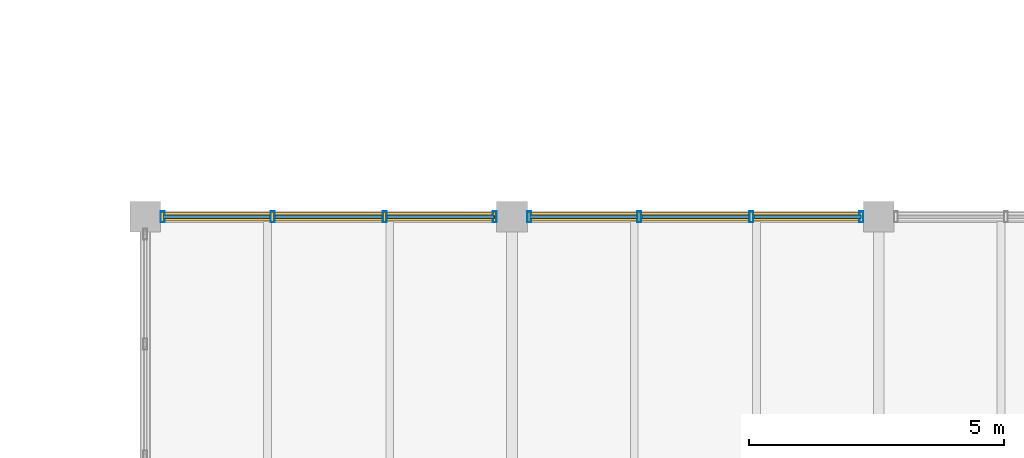
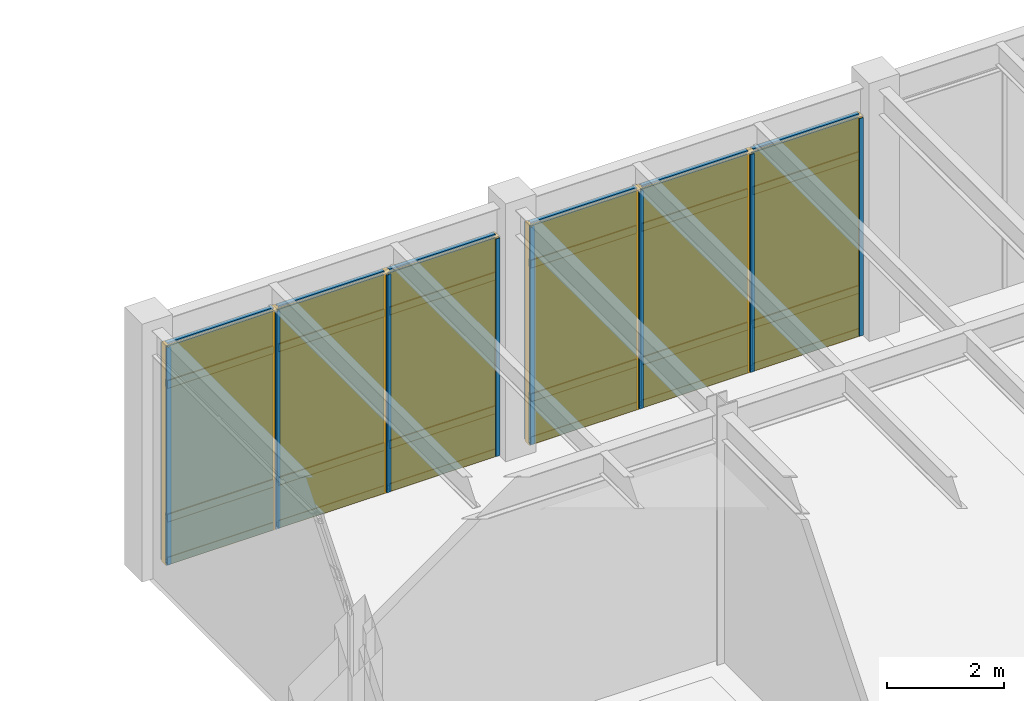
# One storey, part 58 of 97: 32 members, 12 plates, 2 curtain walls.
"""IFC4 building model written with IfcOpenShell, lengths in metres."""

from ifc_helpers import new_model, si_unit, direction, frame, origin, origin_2d, place, context, subcontext, project, spatial, rectangle, hollow_rectangle, extrude, material, layer, layer_set, material_profile, profile_set, type_object, element, aggregate, save


model = new_model("IFC4")

# Units and contexts
model_context = context("Model", 3, precision=1e-05, world=origin(), true_north=direction((0.0, 1.0)))
body_context = subcontext(model_context, "Body", "Model", "MODEL_VIEW")
ifc_project = project(units=[si_unit("LENGTHUNIT", "METRE"), si_unit("AREAUNIT", "SQUARE_METRE"), si_unit("VOLUMEUNIT", "CUBIC_METRE"), si_unit("PLANEANGLEUNIT", "RADIAN"), si_unit("MASSUNIT", "GRAM", prefix="KILO")], contexts=[model_context])

# Member
ifc_material_1 = material(Name="Anodized Aluminium 6063-T6", Category="aluminium")
ifc_material_profile_1 = material_profile(ifc_material_1, hollow_rectangle(XDim=0.074951171875, YDim=0.219970703125, WallThickness=0.0048828125, at=origin_2d()), Name="ALU 75x220x5")
ifc_profile_set_1 = profile_set([ifc_material_profile_1], Name="Anodized Aluminium 6063-T6")
member_type_1 = type_object("IfcMemberType", Name="CWM-75X180", PredefinedType="MULLION", material=ifc_profile_set_1)
site_placement = place(None, origin())
building_placement = place(site_placement, origin())
storey_placement = place(building_placement, origin())
member_1_placement = place(storey_placement, frame((65.139892578125, 57.60009765625, 0.02001953125), z_axis=(0.0, 0.0, 1.0), x_axis=(1.0, 0.0, 0.0)))
member_1 = element("IfcMember", 1, at=member_1_placement, type_object=member_type_1, Name="Curtain wall mullion CW-L01-09-07-N-00", PredefinedType="MULLION", context=body_context, shape_type="SweptSolid", body=[
    extrude(hollow_rectangle(XDim=0.074951171875, YDim=0.219970703125, WallThickness=0.0048828125, at=origin_2d()), origin(), (0.0, 0.0, 1.0), 4.557861328125),
])

member_2_placement = place(storey_placement, frame((67.300048828125, 57.60009765625, 0.02001953125), z_axis=(0.0, 0.0, 1.0), x_axis=(1.0, 0.0, 0.0)))
member_2 = element("IfcMember", 2, at=member_2_placement, type_object=member_type_1, Name="Curtain wall mullion CW-L01-09-07-N-01", PredefinedType="MULLION", context=body_context, shape_type="SweptSolid", body=[
    extrude(hollow_rectangle(XDim=0.074951171875, YDim=0.219970703125, WallThickness=0.0048828125, at=origin_2d()), origin(), (0.0, 0.0, 1.0), 4.557861328125),
])

member_3_placement = place(storey_placement, frame((69.5, 57.60009765625, 0.02001953125), z_axis=(0.0, 0.0, 1.0), x_axis=(1.0, 0.0, 0.0)))
member_3 = element("IfcMember", 3, at=member_3_placement, type_object=member_type_1, Name="Curtain wall mullion CW-L01-09-07-N-02", PredefinedType="MULLION", context=body_context, shape_type="SweptSolid", body=[
    extrude(hollow_rectangle(XDim=0.074951171875, YDim=0.219970703125, WallThickness=0.0048828125, at=origin_2d()), origin(), (0.0, 0.0, 1.0), 4.557861328125),
])

member_4_placement = place(storey_placement, frame((71.659912109375, 57.60009765625, 0.02001953125), z_axis=(0.0, 0.0, 1.0), x_axis=(1.0, 0.0, 0.0)))
member_4 = element("IfcMember", 4, at=member_4_placement, type_object=member_type_1, Name="Curtain wall mullion CW-L01-09-07-N-03", PredefinedType="MULLION", context=body_context, shape_type="SweptSolid", body=[
    extrude(hollow_rectangle(XDim=0.074951171875, YDim=0.219970703125, WallThickness=0.0048828125, at=origin_2d()), origin(), (0.0, 0.0, 1.0), 4.557861328125),
])

member_5_placement = place(storey_placement, frame((72.340087890625, 57.60009765625, 0.02001953125), z_axis=(0.0, 0.0, 1.0), x_axis=(1.0, 0.0, 0.0)))
member_5 = element("IfcMember", 5, at=member_5_placement, type_object=member_type_1, Name="Curtain wall mullion CW-L01-10-07-N-00", PredefinedType="MULLION", context=body_context, shape_type="SweptSolid", body=[
    extrude(hollow_rectangle(XDim=0.074951171875, YDim=0.219970703125, WallThickness=0.0048828125, at=origin_2d()), origin(), (0.0, 0.0, 1.0), 4.557861328125),
])

member_6_placement = place(storey_placement, frame((74.5, 57.60009765625, 0.02001953125), z_axis=(0.0, 0.0, 1.0), x_axis=(1.0, 0.0, 0.0)))
member_6 = element("IfcMember", 6, at=member_6_placement, type_object=member_type_1, Name="Curtain wall mullion CW-L01-10-07-N-01", PredefinedType="MULLION", context=body_context, shape_type="SweptSolid", body=[
    extrude(hollow_rectangle(XDim=0.074951171875, YDim=0.219970703125, WallThickness=0.0048828125, at=origin_2d()), origin(), (0.0, 0.0, 1.0), 4.557861328125),
])

member_7_placement = place(storey_placement, frame((76.699951171875, 57.60009765625, 0.02001953125), z_axis=(0.0, 0.0, 1.0), x_axis=(1.0, 0.0, 0.0)))
member_7 = element("IfcMember", 7, at=member_7_placement, type_object=member_type_1, Name="Curtain wall mullion CW-L01-10-07-N-02", PredefinedType="MULLION", context=body_context, shape_type="SweptSolid", body=[
    extrude(hollow_rectangle(XDim=0.074951171875, YDim=0.219970703125, WallThickness=0.0048828125, at=origin_2d()), origin(), (0.0, 0.0, 1.0), 4.557861328125),
])

member_8_placement = place(storey_placement, frame((78.860107421875, 57.60009765625, 0.02001953125), z_axis=(0.0, 0.0, 1.0), x_axis=(1.0, 0.0, 0.0)))
member_8 = element("IfcMember", 8, at=member_8_placement, type_object=member_type_1, Name="Curtain wall mullion CW-L01-10-07-N-03", PredefinedType="MULLION", context=body_context, shape_type="SweptSolid", body=[
    extrude(hollow_rectangle(XDim=0.074951171875, YDim=0.219970703125, WallThickness=0.0048828125, at=origin_2d()), origin(), (0.0, 0.0, 1.0), 4.557861328125),
])

ifc_material_profile_2 = material_profile(ifc_material_1, hollow_rectangle(XDim=0.074951171875, YDim=0.159912109375, WallThickness=0.00390625, at=origin_2d()), Name="ALU 75x160x4")
ifc_profile_set_2 = profile_set([ifc_material_profile_2], Name="Anodized Aluminium 6063-T6")
member_type_2 = type_object("IfcMemberType", Name="CWT-75X150", PredefinedType="USERDEFINED", material=ifc_profile_set_2)
member_9_placement = place(storey_placement, frame((65.14990234375, 57.60009765625, 0.050048828125), z_axis=(1.0, 0.0, 0.0), x_axis=(0.0, 1.0, 0.0)))
member_9 = element("IfcMember", 9, at=member_9_placement, type_object=member_type_2, Name="Curtain wall transom CW-L01-09-07-N-1.01", ObjectType="TRANSOM", PredefinedType="USERDEFINED", context=body_context, shape_type="SweptSolid", body=[
    extrude(hollow_rectangle(XDim=0.074951171875, YDim=0.159912109375, WallThickness=0.00390625, at=origin_2d()), origin(), (0.0, 0.0, 1.0), 2.10009765625),
])

member_10_placement = place(storey_placement, frame((67.35009765625, 57.60009765625, 0.050048828125), z_axis=(1.0, 0.0, 0.0), x_axis=(0.0, 1.0, 0.0)))
member_10 = element("IfcMember", 10, at=member_10_placement, type_object=member_type_2, Name="Curtain wall transom CW-L01-09-07-N-1.02", ObjectType="TRANSOM", PredefinedType="USERDEFINED", context=body_context, shape_type="SweptSolid", body=[
    extrude(hollow_rectangle(XDim=0.074951171875, YDim=0.159912109375, WallThickness=0.00390625, at=origin_2d()), origin(), (0.0, 0.0, 1.0), 2.099853515625),
])

member_11_placement = place(storey_placement, frame((69.550048828125, 57.60009765625, 0.050048828125), z_axis=(1.0, 0.0, 0.0), x_axis=(0.0, 1.0, 0.0)))
member_11 = element("IfcMember", 11, at=member_11_placement, type_object=member_type_2, Name="Curtain wall transom CW-L01-09-07-N-1.03", ObjectType="TRANSOM", PredefinedType="USERDEFINED", context=body_context, shape_type="SweptSolid", body=[
    extrude(hollow_rectangle(XDim=0.074951171875, YDim=0.159912109375, WallThickness=0.00390625, at=origin_2d()), origin(), (0.0, 0.0, 1.0), 2.099853515625),
])

member_12_placement = place(storey_placement, frame((65.14990234375, 57.60009765625, 0.949951171875), z_axis=(1.0, 0.0, 0.0), x_axis=(0.0, 1.0, 0.0)))
member_12 = element("IfcMember", 12, at=member_12_placement, type_object=member_type_2, Name="Curtain wall transom CW-L01-09-07-N-2.01", ObjectType="TRANSOM", PredefinedType="USERDEFINED", context=body_context, shape_type="SweptSolid", body=[
    extrude(hollow_rectangle(XDim=0.074951171875, YDim=0.159912109375, WallThickness=0.00390625, at=origin_2d()), origin(), (0.0, 0.0, 1.0), 2.10009765625),
])

member_13_placement = place(storey_placement, frame((67.35009765625, 57.60009765625, 0.949951171875), z_axis=(1.0, 0.0, 0.0), x_axis=(0.0, 1.0, 0.0)))
member_13 = element("IfcMember", 13, at=member_13_placement, type_object=member_type_2, Name="Curtain wall transom CW-L01-09-07-N-2.02", ObjectType="TRANSOM", PredefinedType="USERDEFINED", context=body_context, shape_type="SweptSolid", body=[
    extrude(hollow_rectangle(XDim=0.074951171875, YDim=0.159912109375, WallThickness=0.00390625, at=origin_2d()), origin(), (0.0, 0.0, 1.0), 2.099853515625),
])

member_14_placement = place(storey_placement, frame((69.550048828125, 57.60009765625, 0.949951171875), z_axis=(1.0, 0.0, 0.0), x_axis=(0.0, 1.0, 0.0)))
member_14 = element("IfcMember", 14, at=member_14_placement, type_object=member_type_2, Name="Curtain wall transom CW-L01-09-07-N-2.03", ObjectType="TRANSOM", PredefinedType="USERDEFINED", context=body_context, shape_type="SweptSolid", body=[
    extrude(hollow_rectangle(XDim=0.074951171875, YDim=0.159912109375, WallThickness=0.00390625, at=origin_2d()), origin(), (0.0, 0.0, 1.0), 2.099853515625),
])

member_15_placement = place(storey_placement, frame((65.14990234375, 57.60009765625, 3.748046875), z_axis=(1.0, 0.0, 0.0), x_axis=(0.0, 1.0, 0.0)))
member_15 = element("IfcMember", 15, at=member_15_placement, type_object=member_type_2, Name="Curtain wall transom CW-L01-09-07-N-3.01", ObjectType="TRANSOM", PredefinedType="USERDEFINED", context=body_context, shape_type="SweptSolid", body=[
    extrude(hollow_rectangle(XDim=0.074951171875, YDim=0.159912109375, WallThickness=0.00390625, at=origin_2d()), origin(), (0.0, 0.0, 1.0), 2.10009765625),
])

member_16_placement = place(storey_placement, frame((67.35009765625, 57.60009765625, 3.748046875), z_axis=(1.0, 0.0, 0.0), x_axis=(0.0, 1.0, 0.0)))
member_16 = element("IfcMember", 16, at=member_16_placement, type_object=member_type_2, Name="Curtain wall transom CW-L01-09-07-N-3.02", ObjectType="TRANSOM", PredefinedType="USERDEFINED", context=body_context, shape_type="SweptSolid", body=[
    extrude(hollow_rectangle(XDim=0.074951171875, YDim=0.159912109375, WallThickness=0.00390625, at=origin_2d()), origin(), (0.0, 0.0, 1.0), 2.099853515625),
])

member_17_placement = place(storey_placement, frame((69.550048828125, 57.60009765625, 3.748046875), z_axis=(1.0, 0.0, 0.0), x_axis=(0.0, 1.0, 0.0)))
member_17 = element("IfcMember", 17, at=member_17_placement, type_object=member_type_2, Name="Curtain wall transom CW-L01-09-07-N-3.03", ObjectType="TRANSOM", PredefinedType="USERDEFINED", context=body_context, shape_type="SweptSolid", body=[
    extrude(hollow_rectangle(XDim=0.074951171875, YDim=0.159912109375, WallThickness=0.00390625, at=origin_2d()), origin(), (0.0, 0.0, 1.0), 2.099853515625),
])

member_18_placement = place(storey_placement, frame((65.14990234375, 57.60009765625, 4.548095703125), z_axis=(1.0, 0.0, 0.0), x_axis=(0.0, 1.0, 0.0)))
member_18 = element("IfcMember", 18, at=member_18_placement, type_object=member_type_2, Name="Curtain wall transom CW-L01-09-07-N-4.01", ObjectType="TRANSOM", PredefinedType="USERDEFINED", context=body_context, shape_type="SweptSolid", body=[
    extrude(hollow_rectangle(XDim=0.074951171875, YDim=0.159912109375, WallThickness=0.00390625, at=origin_2d()), origin(), (0.0, 0.0, 1.0), 2.10009765625),
])

member_19_placement = place(storey_placement, frame((67.35009765625, 57.60009765625, 4.548095703125), z_axis=(1.0, 0.0, 0.0), x_axis=(0.0, 1.0, 0.0)))
member_19 = element("IfcMember", 19, at=member_19_placement, type_object=member_type_2, Name="Curtain wall transom CW-L01-09-07-N-4.02", ObjectType="TRANSOM", PredefinedType="USERDEFINED", context=body_context, shape_type="SweptSolid", body=[
    extrude(hollow_rectangle(XDim=0.074951171875, YDim=0.159912109375, WallThickness=0.00390625, at=origin_2d()), origin(), (0.0, 0.0, 1.0), 2.099853515625),
])

member_20_placement = place(storey_placement, frame((69.550048828125, 57.60009765625, 4.548095703125), z_axis=(1.0, 0.0, 0.0), x_axis=(0.0, 1.0, 0.0)))
member_20 = element("IfcMember", 20, at=member_20_placement, type_object=member_type_2, Name="Curtain wall transom CW-L01-09-07-N-4.03", ObjectType="TRANSOM", PredefinedType="USERDEFINED", context=body_context, shape_type="SweptSolid", body=[
    extrude(hollow_rectangle(XDim=0.074951171875, YDim=0.159912109375, WallThickness=0.00390625, at=origin_2d()), origin(), (0.0, 0.0, 1.0), 2.099853515625),
])

member_21_placement = place(storey_placement, frame((72.35009765625, 57.60009765625, 0.050048828125), z_axis=(1.0, 0.0, 0.0), x_axis=(0.0, 1.0, 0.0)))
member_21 = element("IfcMember", 21, at=member_21_placement, type_object=member_type_2, Name="Curtain wall transom CW-L01-10-07-N-1.01", ObjectType="TRANSOM", PredefinedType="USERDEFINED", context=body_context, shape_type="SweptSolid", body=[
    extrude(hollow_rectangle(XDim=0.074951171875, YDim=0.159912109375, WallThickness=0.00390625, at=origin_2d()), origin(), (0.0, 0.0, 1.0), 2.099853515625),
])

member_22_placement = place(storey_placement, frame((74.550048828125, 57.60009765625, 0.050048828125), z_axis=(1.0, 0.0, 0.0), x_axis=(0.0, 1.0, 0.0)))
member_22 = element("IfcMember", 22, at=member_22_placement, type_object=member_type_2, Name="Curtain wall transom CW-L01-10-07-N-1.02", ObjectType="TRANSOM", PredefinedType="USERDEFINED", context=body_context, shape_type="SweptSolid", body=[
    extrude(hollow_rectangle(XDim=0.074951171875, YDim=0.159912109375, WallThickness=0.00390625, at=origin_2d()), origin(), (0.0, 0.0, 1.0), 2.099853515625),
])

member_23_placement = place(storey_placement, frame((76.75, 57.60009765625, 0.050048828125), z_axis=(1.0, 0.0, 0.0), x_axis=(0.0, 1.0, 0.0)))
member_23 = element("IfcMember", 23, at=member_23_placement, type_object=member_type_2, Name="Curtain wall transom CW-L01-10-07-N-1.03", ObjectType="TRANSOM", PredefinedType="USERDEFINED", context=body_context, shape_type="SweptSolid", body=[
    extrude(hollow_rectangle(XDim=0.074951171875, YDim=0.159912109375, WallThickness=0.00390625, at=origin_2d()), origin(), (0.0, 0.0, 1.0), 2.10009765625),
])

member_24_placement = place(storey_placement, frame((72.35009765625, 57.60009765625, 0.949951171875), z_axis=(1.0, 0.0, 0.0), x_axis=(0.0, 1.0, 0.0)))
member_24 = element("IfcMember", 24, at=member_24_placement, type_object=member_type_2, Name="Curtain wall transom CW-L01-10-07-N-2.01", ObjectType="TRANSOM", PredefinedType="USERDEFINED", context=body_context, shape_type="SweptSolid", body=[
    extrude(hollow_rectangle(XDim=0.074951171875, YDim=0.159912109375, WallThickness=0.00390625, at=origin_2d()), origin(), (0.0, 0.0, 1.0), 2.099853515625),
])

member_25_placement = place(storey_placement, frame((74.550048828125, 57.60009765625, 0.949951171875), z_axis=(1.0, 0.0, 0.0), x_axis=(0.0, 1.0, 0.0)))
member_25 = element("IfcMember", 25, at=member_25_placement, type_object=member_type_2, Name="Curtain wall transom CW-L01-10-07-N-2.02", ObjectType="TRANSOM", PredefinedType="USERDEFINED", context=body_context, shape_type="SweptSolid", body=[
    extrude(hollow_rectangle(XDim=0.074951171875, YDim=0.159912109375, WallThickness=0.00390625, at=origin_2d()), origin(), (0.0, 0.0, 1.0), 2.099853515625),
])

member_26_placement = place(storey_placement, frame((76.75, 57.60009765625, 0.949951171875), z_axis=(1.0, 0.0, 0.0), x_axis=(0.0, 1.0, 0.0)))
member_26 = element("IfcMember", 26, at=member_26_placement, type_object=member_type_2, Name="Curtain wall transom CW-L01-10-07-N-2.03", ObjectType="TRANSOM", PredefinedType="USERDEFINED", context=body_context, shape_type="SweptSolid", body=[
    extrude(hollow_rectangle(XDim=0.074951171875, YDim=0.159912109375, WallThickness=0.00390625, at=origin_2d()), origin(), (0.0, 0.0, 1.0), 2.10009765625),
])

member_27_placement = place(storey_placement, frame((72.35009765625, 57.60009765625, 3.748046875), z_axis=(1.0, 0.0, 0.0), x_axis=(0.0, 1.0, 0.0)))
member_27 = element("IfcMember", 27, at=member_27_placement, type_object=member_type_2, Name="Curtain wall transom CW-L01-10-07-N-3.01", ObjectType="TRANSOM", PredefinedType="USERDEFINED", context=body_context, shape_type="SweptSolid", body=[
    extrude(hollow_rectangle(XDim=0.074951171875, YDim=0.159912109375, WallThickness=0.00390625, at=origin_2d()), origin(), (0.0, 0.0, 1.0), 2.099853515625),
])

member_28_placement = place(storey_placement, frame((74.550048828125, 57.60009765625, 3.748046875), z_axis=(1.0, 0.0, 0.0), x_axis=(0.0, 1.0, 0.0)))
member_28 = element("IfcMember", 28, at=member_28_placement, type_object=member_type_2, Name="Curtain wall transom CW-L01-10-07-N-3.02", ObjectType="TRANSOM", PredefinedType="USERDEFINED", context=body_context, shape_type="SweptSolid", body=[
    extrude(hollow_rectangle(XDim=0.074951171875, YDim=0.159912109375, WallThickness=0.00390625, at=origin_2d()), origin(), (0.0, 0.0, 1.0), 2.099853515625),
])

member_29_placement = place(storey_placement, frame((76.75, 57.60009765625, 3.748046875), z_axis=(1.0, 0.0, 0.0), x_axis=(0.0, 1.0, 0.0)))
member_29 = element("IfcMember", 29, at=member_29_placement, type_object=member_type_2, Name="Curtain wall transom CW-L01-10-07-N-3.03", ObjectType="TRANSOM", PredefinedType="USERDEFINED", context=body_context, shape_type="SweptSolid", body=[
    extrude(hollow_rectangle(XDim=0.074951171875, YDim=0.159912109375, WallThickness=0.00390625, at=origin_2d()), origin(), (0.0, 0.0, 1.0), 2.10009765625),
])

member_30_placement = place(storey_placement, frame((72.35009765625, 57.60009765625, 4.548095703125), z_axis=(1.0, 0.0, 0.0), x_axis=(0.0, 1.0, 0.0)))
member_30 = element("IfcMember", 30, at=member_30_placement, type_object=member_type_2, Name="Curtain wall transom CW-L01-10-07-N-4.01", ObjectType="TRANSOM", PredefinedType="USERDEFINED", context=body_context, shape_type="SweptSolid", body=[
    extrude(hollow_rectangle(XDim=0.074951171875, YDim=0.159912109375, WallThickness=0.00390625, at=origin_2d()), origin(), (0.0, 0.0, 1.0), 2.099853515625),
])

member_31_placement = place(storey_placement, frame((74.550048828125, 57.60009765625, 4.548095703125), z_axis=(1.0, 0.0, 0.0), x_axis=(0.0, 1.0, 0.0)))
member_31 = element("IfcMember", 31, at=member_31_placement, type_object=member_type_2, Name="Curtain wall transom CW-L01-10-07-N-4.02", ObjectType="TRANSOM", PredefinedType="USERDEFINED", context=body_context, shape_type="SweptSolid", body=[
    extrude(hollow_rectangle(XDim=0.074951171875, YDim=0.159912109375, WallThickness=0.00390625, at=origin_2d()), origin(), (0.0, 0.0, 1.0), 2.099853515625),
])

member_32_placement = place(storey_placement, frame((76.75, 57.60009765625, 4.548095703125), z_axis=(1.0, 0.0, 0.0), x_axis=(0.0, 1.0, 0.0)))
member_32 = element("IfcMember", 32, at=member_32_placement, type_object=member_type_2, Name="Curtain wall transom CW-L01-10-07-N-4.03", ObjectType="TRANSOM", PredefinedType="USERDEFINED", context=body_context, shape_type="SweptSolid", body=[
    extrude(hollow_rectangle(XDim=0.074951171875, YDim=0.159912109375, WallThickness=0.00390625, at=origin_2d()), origin(), (0.0, 0.0, 1.0), 2.10009765625),
])

# Plate
ifc_material_2 = material(Name="Acoustic Laminated Low-E Glazing", Category="glass")
ifc_layer_1 = layer(ifc_material_2, 0.0439453125)
ifc_layer_set_1 = layer_set([ifc_layer_1], Name="Acoustic Laminated Low-E Glazing")
plate_type_1 = type_object("IfcPlateType", Name="CWP-IGU-44", PredefinedType="CURTAIN_PANEL", material=ifc_layer_set_1)
plate_1_placement = place(storey_placement, frame((66.199951171875, 57.60009765625, 0.98974609375), z_axis=(0.0, 0.0, 1.0), x_axis=(1.0, 0.0, 0.0)))
plate_1 = element("IfcPlate", 33, at=plate_1_placement, type_object=plate_type_1, Name="Curtain wall vision glazing CW-L01-09-07-N-01", PredefinedType="CURTAIN_PANEL", context=body_context, shape_type="SweptSolid", body=[
    extrude(rectangle(XDim=2.110107421875, YDim=0.0400390625, at=origin_2d()), origin(), (0.0, 0.0, 1.0), 3.548095703125),
])

plate_2_placement = place(storey_placement, frame((68.39990234375, 57.60009765625, 0.98974609375), z_axis=(0.0, 0.0, 1.0), x_axis=(1.0, 0.0, 0.0)))
plate_2 = element("IfcPlate", 34, at=plate_2_placement, type_object=plate_type_1, Name="Curtain wall vision glazing CW-L01-09-07-N-02", PredefinedType="CURTAIN_PANEL", context=body_context, shape_type="SweptSolid", body=[
    extrude(rectangle(XDim=2.110107421875, YDim=0.0400390625, at=origin_2d()), origin(), (0.0, 0.0, 1.0), 3.548095703125),
])

plate_3_placement = place(storey_placement, frame((70.60009765625, 57.60009765625, 0.98974609375), z_axis=(0.0, 0.0, 1.0), x_axis=(1.0, 0.0, 0.0)))
plate_3 = element("IfcPlate", 35, at=plate_3_placement, type_object=plate_type_1, Name="Curtain wall vision glazing CW-L01-09-07-N-03", PredefinedType="CURTAIN_PANEL", context=body_context, shape_type="SweptSolid", body=[
    extrude(rectangle(XDim=2.110107421875, YDim=0.0400390625, at=origin_2d()), origin(), (0.0, 0.0, 1.0), 3.548095703125),
])

plate_4_placement = place(storey_placement, frame((73.39990234375, 57.60009765625, 0.98974609375), z_axis=(0.0, 0.0, 1.0), x_axis=(1.0, 0.0, 0.0)))
plate_4 = element("IfcPlate", 36, at=plate_4_placement, type_object=plate_type_1, Name="Curtain wall vision glazing CW-L01-10-07-N-01", PredefinedType="CURTAIN_PANEL", context=body_context, shape_type="SweptSolid", body=[
    extrude(rectangle(XDim=2.110107421875, YDim=0.0400390625, at=origin_2d()), origin(), (0.0, 0.0, 1.0), 3.548095703125),
])

plate_5_placement = place(storey_placement, frame((75.60009765625, 57.60009765625, 0.98974609375), z_axis=(0.0, 0.0, 1.0), x_axis=(1.0, 0.0, 0.0)))
plate_5 = element("IfcPlate", 37, at=plate_5_placement, type_object=plate_type_1, Name="Curtain wall vision glazing CW-L01-10-07-N-02", PredefinedType="CURTAIN_PANEL", context=body_context, shape_type="SweptSolid", body=[
    extrude(rectangle(XDim=2.110107421875, YDim=0.0400390625, at=origin_2d()), origin(), (0.0, 0.0, 1.0), 3.548095703125),
])

plate_6_placement = place(storey_placement, frame((77.800048828125, 57.60009765625, 0.98974609375), z_axis=(0.0, 0.0, 1.0), x_axis=(1.0, 0.0, 0.0)))
plate_6 = element("IfcPlate", 38, at=plate_6_placement, type_object=plate_type_1, Name="Curtain wall vision glazing CW-L01-10-07-N-03", PredefinedType="CURTAIN_PANEL", context=body_context, shape_type="SweptSolid", body=[
    extrude(rectangle(XDim=2.110107421875, YDim=0.0400390625, at=origin_2d()), origin(), (0.0, 0.0, 1.0), 3.548095703125),
])

ifc_material_3 = material(Name="Insulated Stone-Composite Spandrel", Category="masonry")
ifc_layer_2 = layer(ifc_material_3, 0.068115234375)
ifc_layer_set_2 = layer_set([ifc_layer_2], Name="Insulated Stone-Composite Spandrel")
plate_type_2 = type_object("IfcPlateType", Name="CWP-SPN-68", PredefinedType="CURTAIN_PANEL", material=ifc_layer_set_2)
plate_7_placement = place(storey_placement, frame((66.199951171875, 57.60009765625, 0.080078125), z_axis=(0.0, 0.0, 1.0), x_axis=(1.0, 0.0, 0.0)))
plate_7 = element("IfcPlate", 39, at=plate_7_placement, type_object=plate_type_2, Name="Curtain wall spandrel panel CW-L01-09-07-N-01", PredefinedType="CURTAIN_PANEL", context=body_context, shape_type="SweptSolid", body=[
    extrude(rectangle(XDim=2.110107421875, YDim=0.06005859375, at=origin_2d()), origin(), (0.0, 0.0, 1.0), 0.840087890625),
])

plate_8_placement = place(storey_placement, frame((68.39990234375, 57.60009765625, 0.080078125), z_axis=(0.0, 0.0, 1.0), x_axis=(1.0, 0.0, 0.0)))
plate_8 = element("IfcPlate", 40, at=plate_8_placement, type_object=plate_type_2, Name="Curtain wall spandrel panel CW-L01-09-07-N-02", PredefinedType="CURTAIN_PANEL", context=body_context, shape_type="SweptSolid", body=[
    extrude(rectangle(XDim=2.110107421875, YDim=0.06005859375, at=origin_2d()), origin(), (0.0, 0.0, 1.0), 0.840087890625),
])

plate_9_placement = place(storey_placement, frame((70.60009765625, 57.60009765625, 0.080078125), z_axis=(0.0, 0.0, 1.0), x_axis=(1.0, 0.0, 0.0)))
plate_9 = element("IfcPlate", 41, at=plate_9_placement, type_object=plate_type_2, Name="Curtain wall spandrel panel CW-L01-09-07-N-03", PredefinedType="CURTAIN_PANEL", context=body_context, shape_type="SweptSolid", body=[
    extrude(rectangle(XDim=2.110107421875, YDim=0.06005859375, at=origin_2d()), origin(), (0.0, 0.0, 1.0), 0.840087890625),
])

plate_10_placement = place(storey_placement, frame((73.39990234375, 57.60009765625, 0.080078125), z_axis=(0.0, 0.0, 1.0), x_axis=(1.0, 0.0, 0.0)))
plate_10 = element("IfcPlate", 42, at=plate_10_placement, type_object=plate_type_2, Name="Curtain wall spandrel panel CW-L01-10-07-N-01", PredefinedType="CURTAIN_PANEL", context=body_context, shape_type="SweptSolid", body=[
    extrude(rectangle(XDim=2.110107421875, YDim=0.06005859375, at=origin_2d()), origin(), (0.0, 0.0, 1.0), 0.840087890625),
])

plate_11_placement = place(storey_placement, frame((75.60009765625, 57.60009765625, 0.080078125), z_axis=(0.0, 0.0, 1.0), x_axis=(1.0, 0.0, 0.0)))
plate_11 = element("IfcPlate", 43, at=plate_11_placement, type_object=plate_type_2, Name="Curtain wall spandrel panel CW-L01-10-07-N-02", PredefinedType="CURTAIN_PANEL", context=body_context, shape_type="SweptSolid", body=[
    extrude(rectangle(XDim=2.110107421875, YDim=0.06005859375, at=origin_2d()), origin(), (0.0, 0.0, 1.0), 0.840087890625),
])

plate_12_placement = place(storey_placement, frame((77.800048828125, 57.60009765625, 0.080078125), z_axis=(0.0, 0.0, 1.0), x_axis=(1.0, 0.0, 0.0)))
plate_12 = element("IfcPlate", 44, at=plate_12_placement, type_object=plate_type_2, Name="Curtain wall spandrel panel CW-L01-10-07-N-03", PredefinedType="CURTAIN_PANEL", context=body_context, shape_type="SweptSolid", body=[
    extrude(rectangle(XDim=2.110107421875, YDim=0.06005859375, at=origin_2d()), origin(), (0.0, 0.0, 1.0), 0.840087890625),
])

# Site, building, storey
site = spatial("IfcSite", under=ifc_project, at=site_placement, CompositionType="ELEMENT")
building = spatial("IfcBuilding", under=site, at=building_placement, Name="Sillqori Civic Hall", CompositionType="ELEMENT")
storey = spatial("IfcBuildingStorey", under=building, at=storey_placement, Name="L01", CompositionType="ELEMENT", Elevation=0.0)

# Curtain wall
ifc_material_4 = material(Name="Anodized Aluminium Curtain Wall System", Category="aluminium")
curtain_wall_type = type_object("IfcCurtainWallType", Name="CW-SF-480", PredefinedType="NOTDEFINED", material=ifc_material_4)
curtain_wall_1_placement = place(storey_placement, frame((68.39990234375, 57.60009765625, 0.0), z_axis=(0.0, 0.0, 1.0), x_axis=(1.0, 0.0, 0.0)))
curtain_wall_1 = element("IfcCurtainWall", 45, at=curtain_wall_1_placement, inside=storey, type_object=curtain_wall_type, Name="L01 unitised curtain wall CW-L01-09-07-N", PredefinedType="NOTDEFINED", context=body_context, shape_type="SweptSolid", body=[
    extrude(rectangle(XDim=6.60009765625, YDim=0.159912109375, at=origin_2d()), origin(), (0.0, 0.0, 1.0), 4.597900390625),
])

aggregate(curtain_wall_1, [member_1, member_2, member_3, member_4, member_9, member_10, member_11, member_12, member_13, member_14, member_15, member_16, member_17, member_18, member_19, member_20, plate_7, plate_1, plate_8, plate_2, plate_9, plate_3])

curtain_wall_2_placement = place(storey_placement, frame((75.60009765625, 57.60009765625, 0.0), z_axis=(0.0, 0.0, 1.0), x_axis=(1.0, 0.0, 0.0)))
curtain_wall_2 = element("IfcCurtainWall", 46, at=curtain_wall_2_placement, inside=storey, type_object=curtain_wall_type, Name="L01 unitised curtain wall CW-L01-10-07-N", PredefinedType="NOTDEFINED", context=body_context, shape_type="SweptSolid", body=[
    extrude(rectangle(XDim=6.60009765625, YDim=0.159912109375, at=origin_2d()), origin(), (0.0, 0.0, 1.0), 4.597900390625),
])

aggregate(curtain_wall_2, [member_5, member_6, member_7, member_8, member_21, member_22, member_23, member_24, member_25, member_26, member_27, member_28, member_29, member_30, member_31, member_32, plate_10, plate_4, plate_11, plate_5, plate_12, plate_6])

save(model, "model.ifc")
